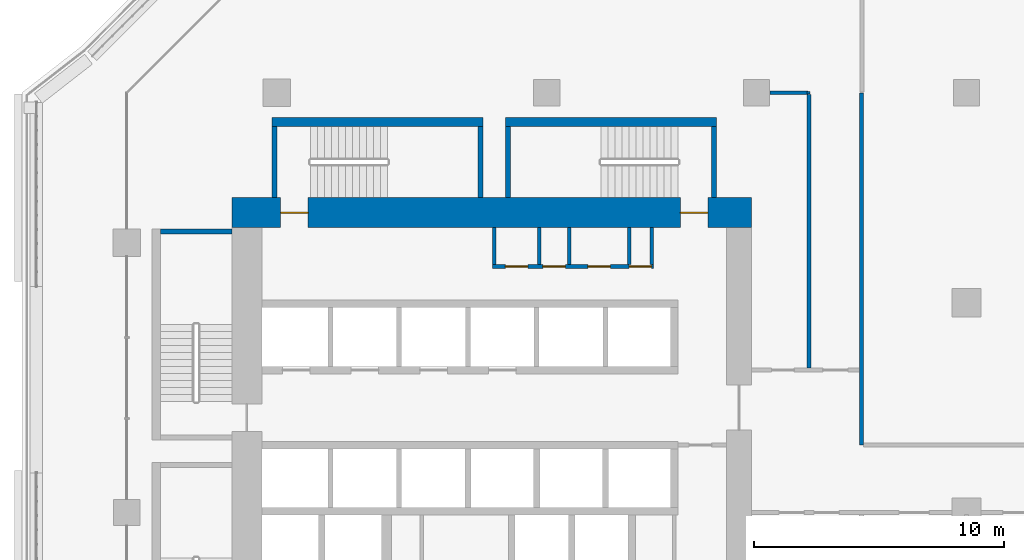
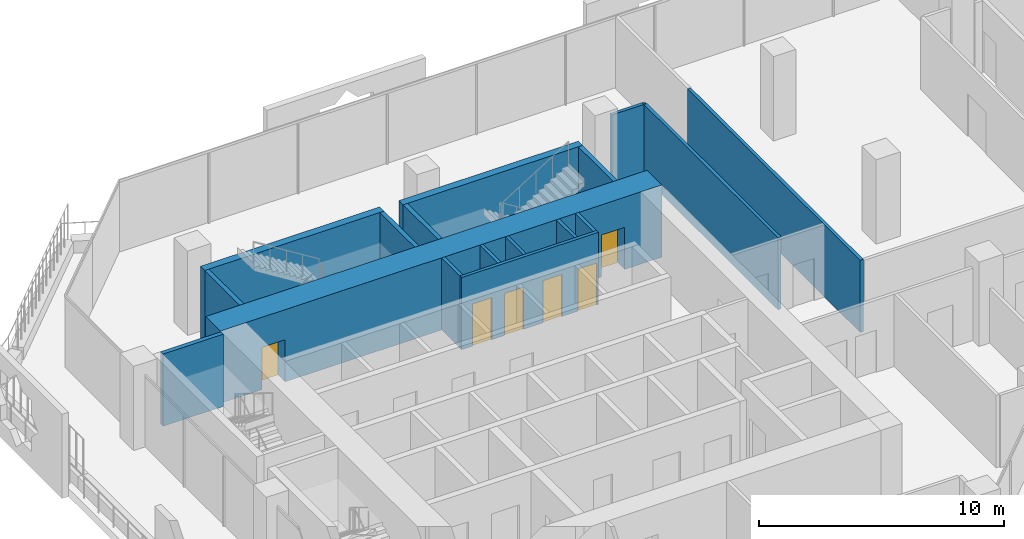
# One storey, part 18 of 29: 18 walls, 6 doors, 6 openings.
"""IFC4 building model written with IfcOpenShell, lengths in metres."""

from ifc_helpers import new_model, si_unit, direction, frame, frame_2d, origin, place, context, subcontext, project, spatial, rectangle, extrude, material, layer, layer_set, type_object, element, fill, save


model = new_model("IFC4")

# Units and contexts
model_context = context("Model", 3, precision=1e-05, world=origin(), true_north=direction((0.0, 1.0)))
body_context = subcontext(model_context, "Body", "Model", "MODEL_VIEW")
ifc_project = project(units=[si_unit("LENGTHUNIT", "METRE"), si_unit("AREAUNIT", "SQUARE_METRE"), si_unit("VOLUMEUNIT", "CUBIC_METRE"), si_unit("PLANEANGLEUNIT", "RADIAN"), si_unit("MASSUNIT", "GRAM", prefix="KILO")], contexts=[model_context])

# Site, building, storey
site_placement = place(None, origin())
site = spatial("IfcSite", under=ifc_project, at=site_placement, CompositionType="ELEMENT")
building_placement = place(site_placement, origin())
building = spatial("IfcBuilding", under=site, at=building_placement, Name="Kawkab Arch Medical Tower", CompositionType="ELEMENT")
storey_placement = place(building_placement, frame((0.0, 0.0, 107.199951171875)))
storey = spatial("IfcBuildingStorey", under=building, at=storey_placement, Name="L24", CompositionType="ELEMENT", Elevation=107.199951171875)

# Wall, openings, doors
ifc_material_1 = material(Name="Concrete C60/75", Category="concrete")
ifc_layer_1 = layer(ifc_material_1, 1.199951171875)
ifc_layer_set_1 = layer_set([ifc_layer_1], Name="Concrete C60/75")
wall_type_1 = type_object("IfcWallType", Name="Core ring wall 1200 C60/75", PredefinedType="SHEAR", material=ifc_layer_set_1)
wall_1_placement = place(storey_placement, frame((4.199951171875, -4.800048828125, 0.0), z_axis=(0.0, 0.0, 1.0), x_axis=(1.0, 0.0, 0.0)))
wall_1 = element("IfcWall", 1, at=wall_1_placement, inside=storey, type_object=wall_type_1, Name="L24 core wall", PredefinedType="SHEAR", context=body_context, shape_type="SweptSolid", body=[
    extrude(rectangle(XDim=20.800048828125, YDim=1.199951171875, at=frame_2d((10.39990234375, 0.0))), origin(), (0.0, 0.0, 1.0), 3.60009765625),
])
opening_1_placement = place(wall_1_placement, frame((1.949951171875, 0.0, 0.0)))
opening_1 = element("IfcOpeningElement", 2, at=opening_1_placement, cuts=wall_1, Name="Opening SD", PredefinedType="OPENING", context=body_context, shape_type="SweptSolid", body=[
    extrude(rectangle(XDim=1.10009765625, YDim=2.10009765625, at=frame_2d((0.550048828125, 1.050048828125))), frame((0.0, 0.60986328125, 0.0), z_axis=(0.0, -1.0, 0.0), x_axis=(1.0, 0.0, 0.0)), (0.0, 0.0, 1.0), 1.219970703125),
])
opening_2_placement = place(wall_1_placement, frame((17.949951171875, 0.0, 0.0)))
opening_2 = element("IfcOpeningElement", 3, at=opening_2_placement, cuts=wall_1, Name="Opening SD", PredefinedType="OPENING", context=body_context, shape_type="SweptSolid", body=[
    extrude(rectangle(XDim=1.10009765625, YDim=2.10009765625, at=frame_2d((0.550048828125, 1.050048828125))), frame((0.0, 0.60986328125, 0.0), z_axis=(0.0, -1.0, 0.0), x_axis=(1.0, 0.0, 0.0)), (0.0, 0.0, 1.0), 1.219970703125),
])
ifc_material_2 = material(Name="Hollow metal fire door leaf")
door_type_1 = type_object("IfcDoorType", Name="Exit stair door 1100", OperationType="SINGLE_SWING_LEFT", PredefinedType="DOOR", material=ifc_material_2)
door_1_placement = place(opening_1_placement, origin())
door_1 = element("IfcDoor", 4, at=door_1_placement, inside=storey, type_object=door_type_1, Name="L24 Exit stair ST3 door", OperationType="SINGLE_SWING_LEFT", OverallHeight=2.10009765625, OverallWidth=1.10009765625, PredefinedType="DOOR", context=body_context, shape_type="SweptSolid", body=[
    extrude(rectangle(XDim=1.10009765625, YDim=2.10009765625, at=frame_2d((0.550048828125, 1.050048828125))), frame((0.0, 0.02490234375, 0.0), z_axis=(0.0, -1.0, 0.0), x_axis=(1.0, 0.0, 0.0)), (0.0, 0.0, 1.0), 0.050048828125),
])
fill(opening_1, door_1)
door_2_placement = place(opening_2_placement, origin())
door_2 = element("IfcDoor", 5, at=door_2_placement, inside=storey, type_object=door_type_1, Name="L24 Exit stair ST4 door", OperationType="SINGLE_SWING_LEFT", OverallHeight=2.10009765625, OverallWidth=1.10009765625, PredefinedType="DOOR", context=body_context, shape_type="SweptSolid", body=[
    extrude(rectangle(XDim=1.10009765625, YDim=2.10009765625, at=frame_2d((0.550048828125, 1.050048828125))), frame((0.0, 0.02490234375, 0.0), z_axis=(0.0, -1.0, 0.0), x_axis=(1.0, 0.0, 0.0)), (0.0, 0.0, 1.0), 0.050048828125),
])
fill(opening_2, door_2)

ifc_material_3 = material(Name="Gypsum board on steel studs", Category="steel")
ifc_layer_2 = layer(ifc_material_3, 0.14990234375)
ifc_layer_set_2 = layer_set([ifc_layer_2], Name="Gypsum board on steel studs")
wall_type_2 = type_object("IfcWallType", Name="Core room partition 150", PredefinedType="PARTITIONING", material=ifc_layer_set_2)
wall_2_placement = place(storey_placement, frame((14.625, -6.949951171875, 0.0), z_axis=(0.0, 0.0, 1.0), x_axis=(1.0, 0.0, 0.0)))
wall_2 = element("IfcWall", 6, at=wall_2_placement, inside=storey, type_object=wall_type_2, Name="L24 core room partition", PredefinedType="PARTITIONING", context=body_context, shape_type="SweptSolid", body=[
    extrude(rectangle(XDim=6.449951171875, YDim=0.14990234375, at=frame_2d((3.22509765625, 0.0))), origin(), (0.0, 0.0, 1.0), 3.60009765625),
])
opening_3_placement = place(wall_2_placement, frame((0.52490234375, 0.0, 0.0)))
opening_3 = element("IfcOpeningElement", 7, at=opening_3_placement, cuts=wall_2, Name="Opening RD", PredefinedType="OPENING", context=body_context, shape_type="SweptSolid", body=[
    extrude(rectangle(XDim=0.89990234375, YDim=2.10009765625, at=frame_2d((0.449951171875, 1.050048828125))), frame((0.0, 0.0849609375, 0.0), z_axis=(0.0, -1.0, 0.0), x_axis=(1.0, 0.0, 0.0)), (0.0, 0.0, 1.0), 0.169921875),
])
opening_4_placement = place(wall_2_placement, frame((2.02490234375, 0.0, 0.0)))
opening_4 = element("IfcOpeningElement", 8, at=opening_4_placement, cuts=wall_2, Name="Opening RD", PredefinedType="OPENING", context=body_context, shape_type="SweptSolid", body=[
    extrude(rectangle(XDim=0.89990234375, YDim=2.10009765625, at=frame_2d((0.449951171875, 1.050048828125))), frame((0.0, 0.0849609375, 0.0), z_axis=(0.0, -1.0, 0.0), x_axis=(1.0, 0.0, 0.0)), (0.0, 0.0, 1.0), 0.169921875),
])
opening_5_placement = place(wall_2_placement, frame((3.824951171875, 0.0, 0.0)))
opening_5 = element("IfcOpeningElement", 9, at=opening_5_placement, cuts=wall_2, Name="Opening RD", PredefinedType="OPENING", context=body_context, shape_type="SweptSolid", body=[
    extrude(rectangle(XDim=0.89990234375, YDim=2.10009765625, at=frame_2d((0.449951171875, 1.050048828125))), frame((0.0, 0.0849609375, 0.0), z_axis=(0.0, -1.0, 0.0), x_axis=(1.0, 0.0, 0.0)), (0.0, 0.0, 1.0), 0.169921875),
])
opening_6_placement = place(wall_2_placement, frame((5.47509765625, 0.0, 0.0)))
opening_6 = element("IfcOpeningElement", 10, at=opening_6_placement, cuts=wall_2, Name="Opening RD", PredefinedType="OPENING", context=body_context, shape_type="SweptSolid", body=[
    extrude(rectangle(XDim=0.89990234375, YDim=2.10009765625, at=frame_2d((0.449951171875, 1.050048828125))), frame((0.0, 0.0849609375, 0.0), z_axis=(0.0, -1.0, 0.0), x_axis=(1.0, 0.0, 0.0)), (0.0, 0.0, 1.0), 0.169921875),
])
ifc_material_4 = material(Name="Hollow metal fire door leaf")
door_type_2 = type_object("IfcDoorType", Name="Core room door 900", OperationType="SINGLE_SWING_LEFT", PredefinedType="DOOR", material=ifc_material_4)
door_3_placement = place(opening_3_placement, origin())
door_3 = element("IfcDoor", 11, at=door_3_placement, inside=storey, type_object=door_type_2, Name="L24 Comms room door", OperationType="SINGLE_SWING_LEFT", OverallHeight=2.10009765625, OverallWidth=0.89990234375, PredefinedType="DOOR", context=body_context, shape_type="SweptSolid", body=[
    extrude(rectangle(XDim=0.89990234375, YDim=2.10009765625, at=frame_2d((0.449951171875, 1.050048828125))), frame((0.0, 0.02490234375, 0.0), z_axis=(0.0, -1.0, 0.0), x_axis=(1.0, 0.0, 0.0)), (0.0, 0.0, 1.0), 0.050048828125),
])
fill(opening_3, door_3)
door_4_placement = place(opening_4_placement, origin())
door_4 = element("IfcDoor", 12, at=door_4_placement, inside=storey, type_object=door_type_2, Name="L24 Electrical riser room door", OperationType="SINGLE_SWING_LEFT", OverallHeight=2.10009765625, OverallWidth=0.89990234375, PredefinedType="DOOR", context=body_context, shape_type="SweptSolid", body=[
    extrude(rectangle(XDim=0.89990234375, YDim=2.10009765625, at=frame_2d((0.449951171875, 1.050048828125))), frame((0.0, 0.02490234375, 0.0), z_axis=(0.0, -1.0, 0.0), x_axis=(1.0, 0.0, 0.0)), (0.0, 0.0, 1.0), 0.050048828125),
])
fill(opening_4, door_4)
door_5_placement = place(opening_5_placement, origin())
door_5 = element("IfcDoor", 13, at=door_5_placement, inside=storey, type_object=door_type_2, Name="L24 General store door", OperationType="SINGLE_SWING_LEFT", OverallHeight=2.10009765625, OverallWidth=0.89990234375, PredefinedType="DOOR", context=body_context, shape_type="SweptSolid", body=[
    extrude(rectangle(XDim=0.89990234375, YDim=2.10009765625, at=frame_2d((0.449951171875, 1.050048828125))), frame((0.0, 0.02490234375, 0.0), z_axis=(0.0, -1.0, 0.0), x_axis=(1.0, 0.0, 0.0)), (0.0, 0.0, 1.0), 0.050048828125),
])
fill(opening_5, door_5)
door_6_placement = place(opening_6_placement, origin())
door_6 = element("IfcDoor", 14, at=door_6_placement, inside=storey, type_object=door_type_2, Name="L24 UPS room door", OperationType="SINGLE_SWING_LEFT", OverallHeight=2.10009765625, OverallWidth=0.89990234375, PredefinedType="DOOR", context=body_context, shape_type="SweptSolid", body=[
    extrude(rectangle(XDim=0.89990234375, YDim=2.10009765625, at=frame_2d((0.449951171875, 1.050048828125))), frame((0.0, 0.02490234375, 0.0), z_axis=(0.0, -1.0, 0.0), x_axis=(1.0, 0.0, 0.0)), (0.0, 0.0, 1.0), 0.050048828125),
])
fill(opening_6, door_6)

# Walls
for number, where, z_axis, x_axis, name in (
    (15, (14.699951171875, -6.875, 0.0), (0.0, 0.0, 1.0), (0.0, 1.0, 0.0), "L24 core room partition"),
    (16, (16.5, -6.875, 0.0), (0.0, 0.0, 1.0), (0.0, 1.0, 0.0), "L24 core room partition"),
    (17, (17.699951171875, -6.875, 0.0), (0.0, 0.0, 1.0), (0.0, 1.0, 0.0), "L24 core room partition"),
    (18, (20.10009765625, -6.875, 0.0), (0.0, 0.0, 1.0), (0.0, 1.0, 0.0), "L24 core room partition"),
    (19, (21.0, -6.875, 0.0), (0.0, 0.0, 1.0), (0.0, 1.0, 0.0), "L24 core room partition"),
):
    element("IfcWall", number, at=place(storey_placement, frame(where, z_axis=z_axis, x_axis=x_axis)), inside=storey, type_object=wall_type_2, Name=name, PredefinedType="PARTITIONING", context=body_context, shape_type="SweptSolid", body=[
        extrude(rectangle(XDim=1.47509765625, YDim=0.14990234375, at=frame_2d((0.737548828125, 0.0))), origin(), (0.0, 0.0, 1.0), 3.60009765625),
    ])
ifc_material_5 = material(Name="Gypsum board partition on steel studs", Category="steel")
ifc_layer_3 = layer(ifc_material_5, 0.10009765625)
ifc_layer_set_3 = layer_set([ifc_layer_3], Name="Gypsum board partition on steel studs")
wall_type_3 = type_object("IfcWallType", Name="Partition 100", PredefinedType="PARTITIONING", material=ifc_layer_set_3)
wall_3_placement = place(storey_placement, frame((27.219970703125, 0.0, 0.0), z_axis=(0.0, 0.0, 1.0), x_axis=(1.0, 0.0, 0.0)))
element("IfcWall", 20, at=wall_3_placement, inside=storey, type_object=wall_type_3, Name="Partition 100 w001", PredefinedType="PARTITIONING", context=body_context, shape_type="SweptSolid", body=[
    extrude(rectangle(XDim=0.1201171875, YDim=0.10009765625, at=frame_2d((0.06005859375, 0.0))), origin(), (0.0, 0.0, 1.0), 3.60009765625),
])
ifc_material_6 = material(Name="Gypsum board partition on steel studs, mineral wool", Category="steel")
ifc_layer_4 = layer(ifc_material_6, 0.14990234375)
ifc_layer_set_4 = layer_set([ifc_layer_4], Name="Gypsum board partition on steel studs, mineral wool")
wall_type_4 = type_object("IfcWallType", Name="Partition 150", PredefinedType="PARTITIONING", material=ifc_layer_set_4)
wall_4_placement = place(storey_placement, frame((25.72705078125, 0.0, 0.0), z_axis=(0.0, 0.0, 1.0), x_axis=(1.0, 0.0, 0.0)))
element("IfcWall", 21, at=wall_4_placement, inside=storey, type_object=wall_type_4, Name="Partition 150 w021", PredefinedType="PARTITIONING", context=body_context, shape_type="SweptSolid", body=[
    extrude(rectangle(XDim=1.532958984375, YDim=0.14990234375, at=frame_2d((0.7666015625, 0.0))), origin(), (0.0, 0.0, 1.0), 3.60009765625),
])
wall_5_placement = place(storey_placement, frame((27.300048828125, -11.02490234375, 0.0), z_axis=(0.0, 0.0, 1.0), x_axis=(0.0, 1.0, 0.0)))
element("IfcWall", 22, at=wall_5_placement, inside=storey, type_object=wall_type_4, Name="Partition 150 w032", PredefinedType="PARTITIONING", context=body_context, shape_type="SweptSolid", body=[
    extrude(rectangle(XDim=10.949951171875, YDim=0.14990234375, at=frame_2d((5.47509765625, 0.0))), origin(), (0.0, 0.0, 1.0), 3.60009765625),
])
wall_6_placement = place(storey_placement, frame((29.39990234375, -14.10009765625, 0.0), z_axis=(0.0, 0.0, 1.0), x_axis=(0.0, 1.0, 0.0)))
element("IfcWall", 23, at=wall_6_placement, inside=storey, type_object=wall_type_4, Name="Partition 150 w034", PredefinedType="PARTITIONING", context=body_context, shape_type="SweptSolid", body=[
    extrude(rectangle(XDim=14.09814453125, YDim=0.14990234375, at=frame_2d((7.049072265625, 0.0))), origin(), (0.0, 0.0, 1.0), 3.60009765625),
])
ifc_material_7 = material(Name="Concrete C50/60", Category="concrete")
ifc_layer_5 = layer(ifc_material_7, 0.199951171875)
ifc_layer_set_5 = layer_set([ifc_layer_5], Name="Concrete C50/60")
wall_type_5 = type_object("IfcWallType", Name="Stair enclosure wall 200 C50/60", PredefinedType="SHEAR", material=ifc_layer_set_5)
for number, where, z_axis, x_axis, name in (
    (24, (1.35009765625, -5.550048828125, 0.0), (0.0, 0.0, 1.0), (1.0, 0.0, 0.0), "L24 stair enclosure wall"),
    (25, (5.89990234375, -4.199951171875, 0.0), (0.0, 0.0, 1.0), (0.0, 1.0, 0.0), "L24 stair enclosure wall"),
    (26, (14.14990234375, -4.199951171875, 0.0), (0.0, 0.0, 1.0), (0.0, 1.0, 0.0), "L24 stair enclosure wall"),
    (27, (15.25, -4.199951171875, 0.0), (0.0, 0.0, 1.0), (0.0, 1.0, 0.0), "L24 stair enclosure wall"),
    (28, (23.5, -4.199951171875, 0.0), (0.0, 0.0, 1.0), (0.0, 1.0, 0.0), "L24 stair enclosure wall"),
):
    element("IfcWall", number, at=place(storey_placement, frame(where, z_axis=z_axis, x_axis=x_axis)), inside=storey, type_object=wall_type_5, Name=name, PredefinedType="SHEAR", context=body_context, shape_type="SweptSolid", body=[
        extrude(rectangle(XDim=2.849853515625, YDim=0.199951171875, at=frame_2d((1.4248046875, 0.0))), origin(), (0.0, 0.0, 1.0), 3.60009765625),
    ])
ifc_material_8 = material(Name="Concrete C50/60", Category="concrete")
ifc_layer_6 = layer(ifc_material_8, 0.35009765625)
ifc_layer_set_6 = layer_set([ifc_layer_6], Name="Concrete C50/60")
wall_type_6 = type_object("IfcWallType", Name="Stair enclosure wall 350 C50/60", PredefinedType="SHEAR", material=ifc_layer_set_6)
wall_7_placement = place(storey_placement, frame((5.800048828125, -1.175048828125, 0.0), z_axis=(0.0, 0.0, 1.0), x_axis=(1.0, 0.0, 0.0)))
element("IfcWall", 29, at=wall_7_placement, inside=storey, type_object=wall_type_6, Name="L24 stair enclosure wall", PredefinedType="SHEAR", context=body_context, shape_type="SweptSolid", body=[
    extrude(rectangle(XDim=8.449951171875, YDim=0.35009765625, at=frame_2d((4.22509765625, 0.0))), origin(), (0.0, 0.0, 1.0), 3.60009765625),
])
wall_8_placement = place(storey_placement, frame((15.14990234375, -1.175048828125, 0.0), z_axis=(0.0, 0.0, 1.0), x_axis=(1.0, 0.0, 0.0)))
element("IfcWall", 30, at=wall_8_placement, inside=storey, type_object=wall_type_6, Name="L24 stair enclosure wall", PredefinedType="SHEAR", context=body_context, shape_type="SweptSolid", body=[
    extrude(rectangle(XDim=8.4501953125, YDim=0.35009765625, at=frame_2d((4.22509765625, 0.0))), origin(), (0.0, 0.0, 1.0), 3.60009765625),
])

save(model, "model.ifc")
